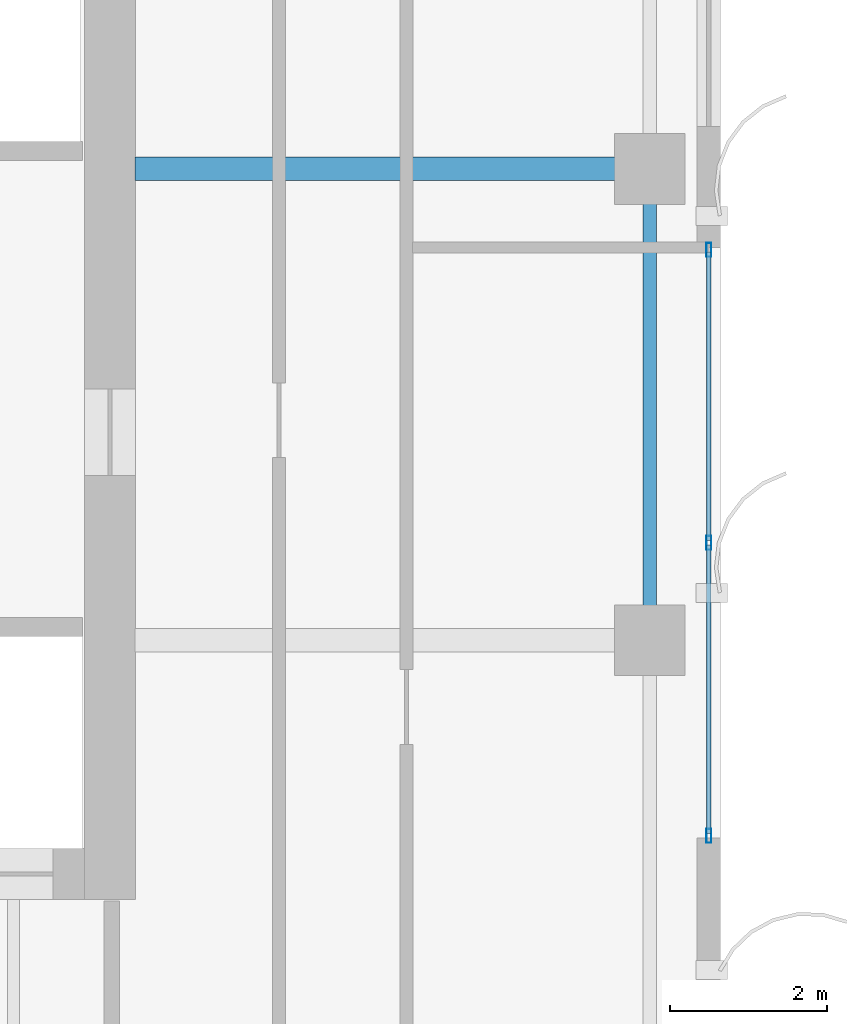
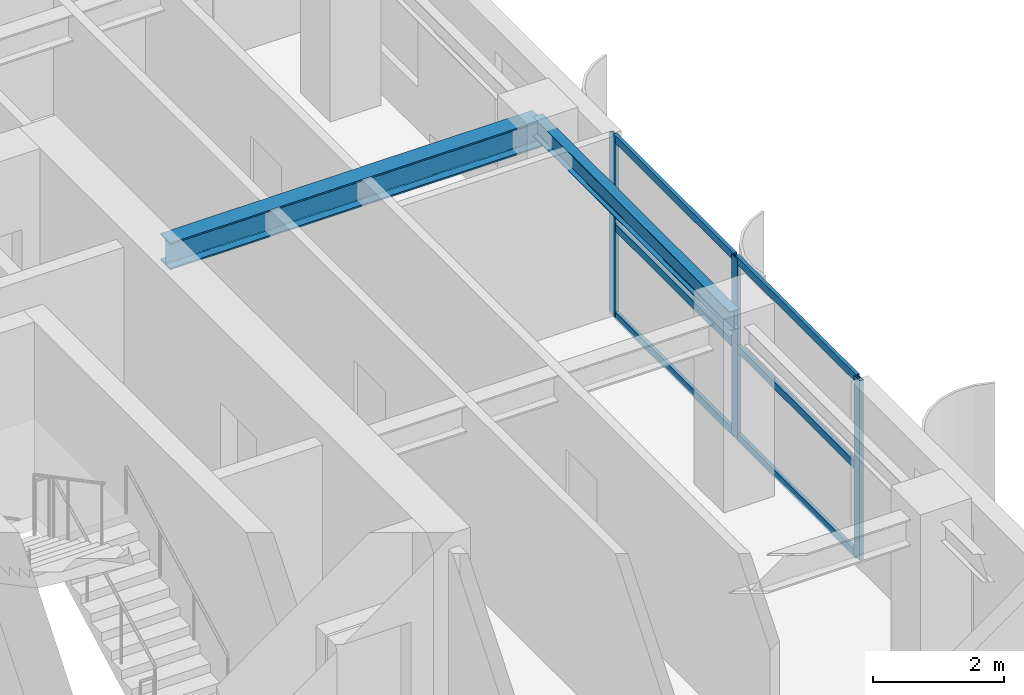
# One storey, part 11 of 22: 9 members, 2 beams, 1 element without a shape of its own.
"""IFC4 building model written with IfcOpenShell, lengths in metres."""

from ifc_helpers import new_model, si_unit, direction, frame, origin, origin_2d, place, context, subcontext, project, spatial, hollow_rectangle, i_section, extrude, source, transform, mapped, material, layer, layer_set, material_profile, profile_set, type_object, element, aggregate, save


model = new_model("IFC4")

# Units and contexts
model_context = context("Model", 3, precision=1e-05, world=origin(), true_north=direction((0.0, 1.0)))
body_context = subcontext(model_context, "Body", "Model", "MODEL_VIEW")
ifc_project = project(units=[si_unit("LENGTHUNIT", "METRE"), si_unit("AREAUNIT", "SQUARE_METRE"), si_unit("VOLUMEUNIT", "CUBIC_METRE"), si_unit("PLANEANGLEUNIT", "RADIAN"), si_unit("MASSUNIT", "GRAM", prefix="KILO")], contexts=[model_context])

# Site, building, storey
site_placement = place(None, origin())
site = spatial("IfcSite", under=ifc_project, at=site_placement, CompositionType="ELEMENT")
building_placement = place(site_placement, origin())
building = spatial("IfcBuilding", under=site, at=building_placement, Name="Khoralis Quay Care Tower", CompositionType="ELEMENT")
storey_placement = place(building_placement, frame((0.0, 0.0, 209.699951171875)))
storey = spatial("IfcBuildingStorey", under=building, at=storey_placement, Name="L55", CompositionType="ELEMENT", Elevation=209.699951171875)

# Beams
ifc_material_1 = material(Name="Steel S355", Category="steel")
ifc_material_profile_1 = material_profile(ifc_material_1, i_section(OverallWidth=0.169921875, OverallDepth=0.360107421875, WebThickness=0.008056640625, FlangeThickness=0.0126953125, FilletRadius=0.01806640625, at=origin_2d()), Name="Steel S355")
ifc_profile_set_1 = profile_set([ifc_material_profile_1], Name="Steel S355")
beam_type_1 = type_object("IfcBeamType", Name="BM-IPE360", PredefinedType="SPANDREL", material=ifc_profile_set_1)
shared_shape_1 = source(origin(), body_context, "Body", "SweptSolid", [
    extrude(i_section(OverallWidth=0.169921875, OverallDepth=0.360107421875, WebThickness=0.008056640625, FlangeThickness=0.0126953125, FilletRadius=0.01806640625, at=origin_2d()), origin(), (0.0, 0.0, 1.0), 6.0),
])
beam_1_placement = place(storey_placement, frame((44.10009765625, 18.0, 3.16015625), z_axis=(0.0, 1.0, 0.0), x_axis=(-1.0, 0.0, 0.0)))
element("IfcBeam", 1, at=beam_1_placement, inside=storey, type_object=beam_type_1, Name="BM-TSP-L55-12", PredefinedType="SPANDREL", context=body_context, shape_type="MappedRepresentation", body=[
    mapped(shared_shape_1, transform((0.0, 0.0, 0.0), scale=1.0)),
])
ifc_material_profile_2 = material_profile(ifc_material_1, i_section(OverallWidth=0.300048828125, OverallDepth=0.5, WebThickness=0.014404296875, FlangeThickness=0.028076171875, FilletRadius=0.027099609375, at=origin_2d()), Name="Steel S355")
ifc_profile_set_2 = profile_set([ifc_material_profile_2], Name="Steel S355")
beam_type_2 = type_object("IfcBeamType", Name="BM-HEB500", PredefinedType="BEAM", material=ifc_profile_set_2)
shared_shape_2 = source(origin(), body_context, "Body", "SweptSolid", [
    extrude(i_section(OverallWidth=0.300048828125, OverallDepth=0.5, WebThickness=0.014404296875, FlangeThickness=0.028076171875, FilletRadius=0.027099609375, at=origin_2d()), origin(), (0.0, 0.0, 1.0), 6.552001953125),
])
beam_2_placement = place(storey_placement, frame((37.548095703125, 24.0, 3.090087890625), z_axis=(1.0, 0.0, 0.0), x_axis=(0.0, 1.0, 0.0)))
element("IfcBeam", 2, at=beam_2_placement, inside=storey, type_object=beam_type_2, Name="BM-TGXE-L55-240", PredefinedType="BEAM", context=body_context, shape_type="MappedRepresentation", body=[
    mapped(shared_shape_2, transform((0.0, 0.0, 0.0), scale=1.0)),
])

# Curtain wall, members
ifc_material_2 = material(Name="Pale anodised aluminium", Category="aluminium")
ifc_layer = layer(ifc_material_2, 0.159912109375)
ifc_layer_set = layer_set([ifc_layer], Name="Pale anodised aluminium")
curtain_wall_type = type_object("IfcCurtainWallType", Name="CW-SYS-Z3", PredefinedType="NOTDEFINED", material=ifc_layer_set)
curtain_wall_placement = place(storey_placement, origin())
curtain_wall = element("IfcCurtainWall", 3, at=curtain_wall_placement, inside=storey, type_object=curtain_wall_type, Name="L55 Unitised Curtain Wall CW-L55-P2-E5", PredefinedType="NOTDEFINED")
ifc_material_profile_3 = material_profile(ifc_material_2, hollow_rectangle(XDim=0.06494140625, YDim=0.179931640625, WallThickness=0.00390625, at=origin_2d()), Name="Pale anodised aluminium")
ifc_profile_set_3 = profile_set([ifc_material_profile_3], Name="Pale anodised aluminium")
member_type_1 = type_object("IfcMemberType", Name="CW-MUL-180", PredefinedType="MULLION", material=ifc_profile_set_3)
shared_shape_3 = source(origin(), body_context, "Body", "SweptSolid", [
    extrude(hollow_rectangle(XDim=0.06494140625, YDim=0.179931640625, WallThickness=0.00390625, at=origin_2d()), origin(), (0.0, 0.0, 1.0), 3.340087890625),
])
member_1_placement = place(storey_placement, frame((44.85009765625, 15.510009765625, 0.0), z_axis=(0.0, 0.0, 1.0), x_axis=(-1.0, 0.0, 0.0)))
member_1 = element("IfcMember", 4, at=member_1_placement, type_object=member_type_1, Name="CW3 mullion 1", PredefinedType="MULLION", context=body_context, shape_type="MappedRepresentation", body=[
    mapped(shared_shape_3, transform((0.0, 0.0, 0.0), scale=1.0)),
])
member_2_placement = place(storey_placement, frame((44.85009765625, 19.239990234375, 0.0), z_axis=(0.0, 0.0, 1.0), x_axis=(-1.0, 0.0, 0.0)))
member_2 = element("IfcMember", 5, at=member_2_placement, type_object=member_type_1, Name="CW3 mullion 2", PredefinedType="MULLION", context=body_context, shape_type="MappedRepresentation", body=[
    mapped(shared_shape_3, transform((0.0, 0.0, 0.0), scale=1.0)),
])
member_3_placement = place(storey_placement, frame((44.85009765625, 22.969970703125, 0.0), z_axis=(0.0, 0.0, 1.0), x_axis=(-1.0, 0.0, 0.0)))
member_3 = element("IfcMember", 6, at=member_3_placement, type_object=member_type_1, Name="CW3 mullion 3", PredefinedType="MULLION", context=body_context, shape_type="MappedRepresentation", body=[
    mapped(shared_shape_3, transform((0.0, 0.0, 0.0), scale=1.0)),
])
ifc_material_profile_4 = material_profile(ifc_material_2, hollow_rectangle(XDim=0.06005859375, YDim=0.139892578125, WallThickness=0.00390625, at=origin_2d()), Name="Pale anodised aluminium")
ifc_profile_set_4 = profile_set([ifc_material_profile_4], Name="Pale anodised aluminium")
member_type_2 = type_object("IfcMemberType", Name="CW-TRN-140", PredefinedType="USERDEFINED", material=ifc_profile_set_4)
shared_shape_4 = source(origin(), body_context, "Body", "SweptSolid", [
    extrude(hollow_rectangle(XDim=0.06005859375, YDim=0.139892578125, WallThickness=0.00390625, at=origin_2d()), origin(), (0.0, 0.0, 1.0), 3.669921875),
])
member_4_placement = place(storey_placement, frame((44.85009765625, 15.5400390625, 0.030029296875), z_axis=(0.0, 1.0, 0.0), x_axis=(-1.0, 0.0, 0.0)))
member_4 = element("IfcMember", 7, at=member_4_placement, type_object=member_type_2, Name="CW3 transom 1.1", ObjectType="TRANSOM", PredefinedType="USERDEFINED", context=body_context, shape_type="MappedRepresentation", body=[
    mapped(shared_shape_4, transform((0.0, 0.0, 0.0), scale=1.0)),
])
member_5_placement = place(storey_placement, frame((44.85009765625, 15.5400390625, 1.670166015625), z_axis=(0.0, 1.0, 0.0), x_axis=(-1.0, 0.0, 0.0)))
member_5 = element("IfcMember", 8, at=member_5_placement, type_object=member_type_2, Name="CW3 transom 1.2", ObjectType="TRANSOM", PredefinedType="USERDEFINED", context=body_context, shape_type="MappedRepresentation", body=[
    mapped(shared_shape_4, transform((0.0, 0.0, 0.0), scale=1.0)),
])
member_6_placement = place(storey_placement, frame((44.85009765625, 15.5400390625, 3.31005859375), z_axis=(0.0, 1.0, 0.0), x_axis=(-1.0, 0.0, 0.0)))
member_6 = element("IfcMember", 9, at=member_6_placement, type_object=member_type_2, Name="CW3 transom 1.3", ObjectType="TRANSOM", PredefinedType="USERDEFINED", context=body_context, shape_type="MappedRepresentation", body=[
    mapped(shared_shape_4, transform((0.0, 0.0, 0.0), scale=1.0)),
])
member_7_placement = place(storey_placement, frame((44.85009765625, 19.27001953125, 0.030029296875), z_axis=(0.0, 1.0, 0.0), x_axis=(-1.0, 0.0, 0.0)))
member_7 = element("IfcMember", 10, at=member_7_placement, type_object=member_type_2, Name="CW3 transom 2.1", ObjectType="TRANSOM", PredefinedType="USERDEFINED", context=body_context, shape_type="MappedRepresentation", body=[
    mapped(shared_shape_4, transform((0.0, 0.0, 0.0), scale=1.0)),
])
member_8_placement = place(storey_placement, frame((44.85009765625, 19.27001953125, 1.670166015625), z_axis=(0.0, 1.0, 0.0), x_axis=(-1.0, 0.0, 0.0)))
member_8 = element("IfcMember", 11, at=member_8_placement, type_object=member_type_2, Name="CW3 transom 2.2", ObjectType="TRANSOM", PredefinedType="USERDEFINED", context=body_context, shape_type="MappedRepresentation", body=[
    mapped(shared_shape_4, transform((0.0, 0.0, 0.0), scale=1.0)),
])
member_9_placement = place(storey_placement, frame((44.85009765625, 19.27001953125, 3.31005859375), z_axis=(0.0, 1.0, 0.0), x_axis=(-1.0, 0.0, 0.0)))
member_9 = element("IfcMember", 12, at=member_9_placement, type_object=member_type_2, Name="CW3 transom 2.3", ObjectType="TRANSOM", PredefinedType="USERDEFINED", context=body_context, shape_type="MappedRepresentation", body=[
    mapped(shared_shape_4, transform((0.0, 0.0, 0.0), scale=1.0)),
])
aggregate(curtain_wall, [member_1, member_2, member_3, member_4, member_5, member_6, member_7, member_8, member_9])

save(model, "model.ifc")
